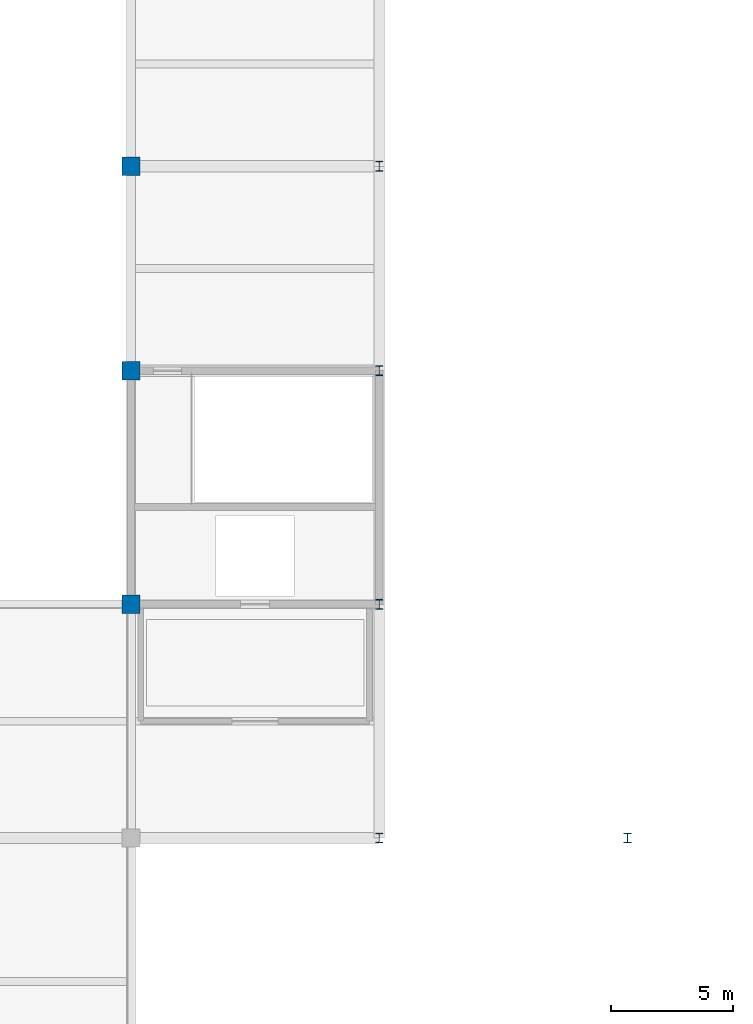
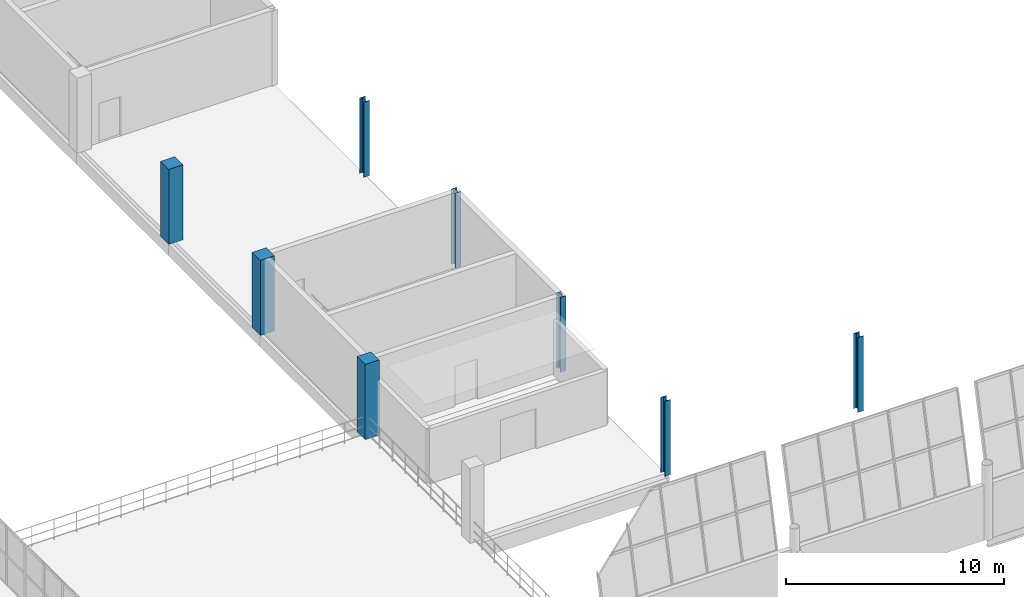
# One storey, part 14 of 157: 8 columns.
"""IFC4 building model written with IfcOpenShell, lengths in metres."""

from ifc_helpers import new_model, si_unit, direction, frame, origin, origin_2d, place, context, subcontext, project, spatial, rectangle, i_section, extrude, material, material_profile, profile_set, type_object, element, save


model = new_model("IFC4")

# Units and contexts
model_context = context("Model", 3, precision=1e-05, world=origin(), true_north=direction((0.0, 1.0)))
body_context = subcontext(model_context, "Body", "Model", "MODEL_VIEW")
ifc_project = project(units=[si_unit("LENGTHUNIT", "METRE"), si_unit("AREAUNIT", "SQUARE_METRE"), si_unit("VOLUMEUNIT", "CUBIC_METRE"), si_unit("PLANEANGLEUNIT", "RADIAN"), si_unit("MASSUNIT", "GRAM", prefix="KILO")], contexts=[model_context])

# Site, building, storey
site_placement = place(None, origin())
site = spatial("IfcSite", under=ifc_project, at=site_placement, CompositionType="ELEMENT")
building_placement = place(site_placement, origin())
building = spatial("IfcBuilding", under=site, at=building_placement, Name="Brelvane Convention Centre", CompositionType="ELEMENT")
storey_placement = place(building_placement, frame((0.0, 0.0, 10.800048828125)))
storey = spatial("IfcBuildingStorey", under=building, at=storey_placement, Name="L02", CompositionType="ELEMENT", Elevation=10.800048828125)

# Columns
ifc_material_1 = material(Name="Concrete M50", Category="concrete")
ifc_material_profile_1 = material_profile(ifc_material_1, rectangle(XDim=0.75, YDim=0.75, at=origin_2d()), Name="RC 750x750")
ifc_profile_set_1 = profile_set([ifc_material_profile_1], Name="Concrete M50")
column_type_1 = type_object("IfcColumnType", Name="RC Column C-RC3 (RC 750x750)", PredefinedType="COLUMN", material=ifc_profile_set_1)
for number, where, z_axis, x_axis, name in (
    (1, (163.199951171875, 109.199951171875, 0.0), (0.0, 0.0, 1.0), (1.0, 0.0, 0.0), "Column 17-L (L02)"),
    (2, (163.199951171875, 118.800048828125, 0.0), (0.0, 0.0, 1.0), (1.0, 0.0, 0.0), "Column 17-M (L02)"),
    (3, (163.199951171875, 127.199951171875, 0.0), (0.0, 0.0, 1.0), (1.0, 0.0, 0.0), "Column 17-N (L02)"),
):
    element("IfcColumn", number, at=place(storey_placement, frame(where, z_axis=z_axis, x_axis=x_axis)), inside=storey, type_object=column_type_1, Name=name, PredefinedType="COLUMN", context=body_context, shape_type="SweptSolid", body=[
        extrude(rectangle(XDim=0.75, YDim=0.75, at=origin_2d()), origin(), (0.0, 0.0, 1.0), 4.199951171875),
    ])
ifc_material_2 = material(Name="Steel E350 (350 MPa)", Category="steel")
ifc_material_profile_2 = material_profile(ifc_material_2, i_section(OverallWidth=0.300048828125, OverallDepth=0.39990234375, WebThickness=0.013427734375, FlangeThickness=0.02392578125, FilletRadius=0.027099609375, at=origin_2d()), Name="WPB 400x300")
ifc_profile_set_2 = profile_set([ifc_material_profile_2], Name="Steel E350 (350 MPa)")
column_type_2 = type_object("IfcColumnType", Name="Steel Column C-ST7 (WPB 400x300)", PredefinedType="COLUMN", material=ifc_profile_set_2)
for number, where, z_axis, x_axis, name in (
    (4, (173.39990234375, 99.60009765625, 0.0), (0.0, 0.0, 1.0), (1.0, 0.0, 0.0), "Column 18-K (L02)"),
    (5, (173.39990234375, 109.199951171875, 0.0), (0.0, 0.0, 1.0), (1.0, 0.0, 0.0), "Column 18-L (L02)"),
    (6, (173.39990234375, 118.800048828125, 0.0), (0.0, 0.0, 1.0), (1.0, 0.0, 0.0), "Column 18-M (L02)"),
    (7, (173.39990234375, 127.199951171875, 0.0), (0.0, 0.0, 1.0), (1.0, 0.0, 0.0), "Column 18-N (L02)"),
    (8, (183.60009765625, 99.60009765625, 0.0), (0.0, 0.0, 1.0), (1.0, 0.0, 0.0), "Column 19-K (L02)"),
):
    element("IfcColumn", number, at=place(storey_placement, frame(where, z_axis=z_axis, x_axis=x_axis)), inside=storey, type_object=column_type_2, Name=name, PredefinedType="COLUMN", context=body_context, shape_type="SweptSolid", body=[
        extrude(i_section(OverallWidth=0.300048828125, OverallDepth=0.39990234375, WebThickness=0.013427734375, FlangeThickness=0.02392578125, FilletRadius=0.027099609375, at=origin_2d()), origin(), (0.0, 0.0, 1.0), 4.199951171875),
    ])

save(model, "model.ifc")
